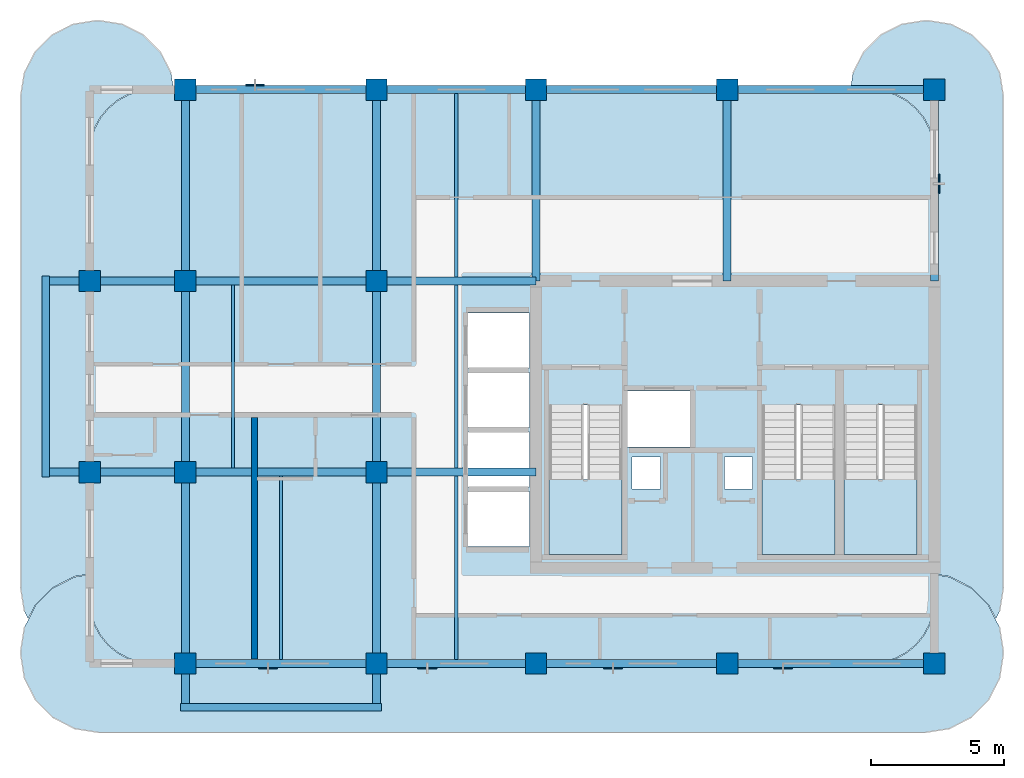
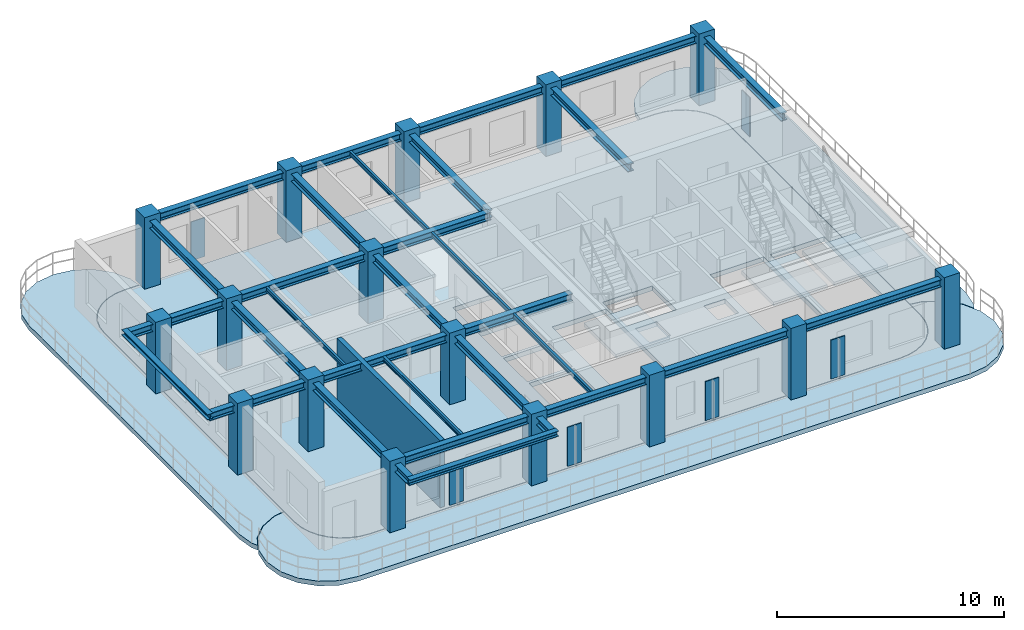
# One storey, part 1 of 8: 28 beams, 16 columns, 7 slabs, 6 plates, 1 wall, 3 elements without a shape of their own.
"""IFC4 building model written with IfcOpenShell, lengths in metres."""

from ifc_helpers import new_model, si_unit, derived_unit, direction, frame, frame_2d, origin, origin_2d, place, context, subcontext, project, spatial, polyline, rectangle, i_section, outline, extrude, source, transform, mapped, material, layer, layer_set, material_profile, profile_set, type_object, type_shapes, element, aggregate, save


model = new_model("IFC4")

# Units and contexts
model_context = context("Model", 3, precision=1e-05, world=origin(), true_north=direction((0.0, 1.0)))
body_context = subcontext(model_context, "Body", "Model", "MODEL_VIEW")
ifc_project = project(units=[si_unit("LENGTHUNIT", "METRE"), si_unit("AREAUNIT", "SQUARE_METRE"), si_unit("VOLUMEUNIT", "CUBIC_METRE"), si_unit("PLANEANGLEUNIT", "RADIAN"), si_unit("MASSUNIT", "GRAM", prefix="KILO"), si_unit("THERMODYNAMICTEMPERATUREUNIT", "KELVIN"), si_unit("POWERUNIT", "WATT"), derived_unit("THERMALTRANSMITTANCEUNIT", [(si_unit("POWERUNIT", "WATT"), 1), (si_unit("AREAUNIT", "SQUARE_METRE"), -1), (si_unit("THERMODYNAMICTEMPERATUREUNIT", "KELVIN"), -1)])], contexts=[model_context])

# Site, building, storey
site_placement = place(None, origin())
site = spatial("IfcSite", under=ifc_project, at=site_placement, CompositionType="ELEMENT")
building_placement = place(site_placement, origin())
building = spatial("IfcBuilding", under=site, at=building_placement, Name="Zahravan Archway Hotel and Residences", CompositionType="ELEMENT")
storey_placement = place(building_placement, frame((0.0, 0.0, 263.5)))
storey = spatial("IfcBuildingStorey", under=building, at=storey_placement, Name="L66", CompositionType="ELEMENT", Elevation=263.5)

# Columns
ifc_material_1 = material(Name="Concrete C50/60", Category="concrete")
ifc_material_profile_1 = material_profile(ifc_material_1, rectangle(XDim=0.800048828125, YDim=0.800048828125, at=origin_2d()), Name="RC-COL-800x800", Category="concrete")
ifc_profile_set_1 = profile_set([ifc_material_profile_1], Name="Concrete C50/60")
column_type = type_object("IfcColumnType", Name="COL-RC-800", PredefinedType="COLUMN", material=ifc_profile_set_1)
shared_shape_1 = source(origin(), body_context, "Body", "SweptSolid", [
    extrude(rectangle(XDim=0.800048828125, YDim=0.800048828125, at=origin_2d()), origin(), (0.0, 0.0, 1.0), 3.85009765625),
])
for number, where, z_axis, x_axis, name in (
    (1, (21.60009765625, 0.0, 0.0), (0.0, 0.0, 1.0), (1.0, 0.0, 0.0), "L66 Column 4-A"),
    (2, (21.60009765625, 7.199951171875, 0.0), (0.0, 0.0, 1.0), (1.0, 0.0, 0.0), "L66 Column 4-B"),
    (3, (21.60009765625, 14.39990234375, 0.0), (0.0, 0.0, 1.0), (1.0, 0.0, 0.0), "L66 Column 4-C"),
    (4, (21.60009765625, 21.60009765625, 0.0), (0.0, 0.0, 1.0), (1.0, 0.0, 0.0), "L66 Column 4-D"),
    (5, (28.800048828125, 0.0, 0.0), (0.0, 0.0, 1.0), (1.0, 0.0, 0.0), "L66 Column 5-A"),
    (6, (28.800048828125, 7.199951171875, 0.0), (0.0, 0.0, 1.0), (1.0, 0.0, 0.0), "L66 Column 5-B"),
    (7, (28.800048828125, 14.39990234375, 0.0), (0.0, 0.0, 1.0), (1.0, 0.0, 0.0), "L66 Column 5-C"),
    (8, (28.800048828125, 21.60009765625, 0.0), (0.0, 0.0, 1.0), (1.0, 0.0, 0.0), "L66 Column 5-D"),
    (9, (34.800048828125, 0.0, 0.0), (0.0, 0.0, 1.0), (1.0, 0.0, 0.0), "L66 Column 6-A"),
    (10, (34.800048828125, 21.60009765625, 0.0), (0.0, 0.0, 1.0), (1.0, 0.0, 0.0), "L66 Column 6-D"),
    (11, (42.0, 0.0, 0.0), (0.0, 0.0, 1.0), (1.0, 0.0, 0.0), "L66 Column 7-A"),
    (12, (42.0, 21.60009765625, 0.0), (0.0, 0.0, 1.0), (1.0, 0.0, 0.0), "L66 Column 7-D"),
    (13, (49.800048828125, 0.0, 0.0), (0.0, 0.0, 1.0), (1.0, 0.0, 0.0), "L66 Column 8-A"),
    (14, (49.800048828125, 21.60009765625, 0.0), (0.0, 0.0, 1.0), (1.0, 0.0, 0.0), "L66 Column 8-D"),
    (15, (18.0, 7.199951171875, 0.0), (0.0, 0.0, 1.0), (1.0, 0.0, 0.0), "L66 Column 3W-B"),
    (16, (18.0, 14.39990234375, 0.0), (0.0, 0.0, 1.0), (1.0, 0.0, 0.0), "L66 Column 3W-C"),
):
    element("IfcColumn", number, at=place(storey_placement, frame(where, z_axis=z_axis, x_axis=x_axis)), inside=storey, type_object=column_type, Name=name, PredefinedType="COLUMN", context=body_context, shape_type="MappedRepresentation", body=[
        mapped(shared_shape_1, transform((0.0, 0.0, 0.0), scale=1.0)),
    ])

# Beams
ifc_material_2 = material(Name="Structural Steel S355JR", Category="steel")
ifc_material_profile_2 = material_profile(ifc_material_2, i_section(OverallWidth=0.280029296875, OverallDepth=0.280029296875, WebThickness=0.010498046875, FlangeThickness=0.01806640625, FilletRadius=0.02392578125, at=origin_2d()), Name="HEB 280", Category="steel")
ifc_profile_set_2 = profile_set([ifc_material_profile_2], Name="Structural Steel S355JR")
beam_type_1 = type_object("IfcBeamType", Name="BM-SPN-HEB280", PredefinedType="SPANDREL", material=ifc_profile_set_2)
shared_shape_2 = source(origin(), body_context, "Body", "SweptSolid", [
    extrude(i_section(OverallWidth=0.280029296875, OverallDepth=0.280029296875, WebThickness=0.010498046875, FlangeThickness=0.01806640625, FilletRadius=0.02392578125, at=origin_2d()), origin(), (0.0, 0.0, 1.0), 7.56005859375),
])
type_shapes(beam_type_1, [shared_shape_2])
for number, where, z_axis, x_axis, name in (
    (17, (16.35009765625, 7.02001953125, 3.4599609375), (0.0, 1.0, 0.0), (-1.0, 0.0, 0.0), "L67 WA Balcony Edge Spandrel"),
    (18, (21.419921875, -1.64990234375, 3.4599609375), (1.0, 0.0, 0.0), (0.0, 1.0, 0.0), "L67 SA Balcony Edge Spandrel"),
):
    element("IfcBeam", number, at=place(storey_placement, frame(where, z_axis=z_axis, x_axis=x_axis)), inside=storey, type_object=beam_type_1, Name=name, PredefinedType="SPANDREL", context=body_context, shape_type="MappedRepresentation", body=[
        mapped(shared_shape_2, transform((0.0, 0.0, 0.0), scale=1.0)),
    ])
ifc_material_profile_3 = material_profile(ifc_material_2, i_section(OverallWidth=0.300048828125, OverallDepth=0.39990234375, WebThickness=0.013427734375, FlangeThickness=0.02392578125, FilletRadius=0.027099609375, at=origin_2d()), Name="HEB 400", Category="steel")
ifc_profile_set_3 = profile_set([ifc_material_profile_3], Name="Structural Steel S355JR")
beam_type_2 = type_object("IfcBeamType", Name="BM-PRI-HEB400", PredefinedType="BEAM", material=ifc_profile_set_3)
shared_shape_3 = source(origin(), body_context, "Body", "SweptSolid", [
    extrude(i_section(OverallWidth=0.300048828125, OverallDepth=0.39990234375, WebThickness=0.013427734375, FlangeThickness=0.02392578125, FilletRadius=0.027099609375, at=origin_2d()), origin(), (0.0, 0.0, 1.0), 7.199951171875),
])
type_shapes(beam_type_2, [shared_shape_3])
for number, where, z_axis, x_axis, name in (
    (19, (21.60009765625, 0.0, 3.39990234375), (1.0, 0.0, 0.0), (0.0, 1.0, 0.0), "L66 Primary Girder EW-01"),
    (20, (34.800048828125, 0.0, 3.39990234375), (1.0, 0.0, 0.0), (0.0, 1.0, 0.0), "L66 Primary Girder EW-03"),
    (21, (21.60009765625, 21.60009765625, 3.39990234375), (1.0, 0.0, 0.0), (0.0, 1.0, 0.0), "L66 Primary Girder EW-09"),
    (22, (34.800048828125, 21.60009765625, 3.39990234375), (1.0, 0.0, 0.0), (0.0, 1.0, 0.0), "L66 Primary Girder EW-11"),
    (23, (21.60009765625, 7.199951171875, 3.39990234375), (0.0, 1.0, 0.0), (-1.0, 0.0, 0.0), "L66 Primary Girder NS-14"),
    (24, (28.800048828125, 7.199951171875, 3.39990234375), (0.0, 1.0, 0.0), (-1.0, 0.0, 0.0), "L66 Primary Girder NS-17"),
):
    element("IfcBeam", number, at=place(storey_placement, frame(where, z_axis=z_axis, x_axis=x_axis)), inside=storey, type_object=beam_type_2, Name=name, PredefinedType="BEAM", context=body_context, shape_type="MappedRepresentation", body=[
        mapped(shared_shape_3, transform((0.0, 0.0, 0.0), scale=1.0)),
    ])
shared_shape_4 = source(origin(), body_context, "Body", "SweptSolid", [
    extrude(i_section(OverallWidth=0.300048828125, OverallDepth=0.39990234375, WebThickness=0.013427734375, FlangeThickness=0.02392578125, FilletRadius=0.027099609375, at=origin_2d()), origin(), (0.0, 0.0, 1.0), 6.0),
])
for number, where, z_axis, x_axis, name in (
    (25, (28.800048828125, 0.0, 3.39990234375), (1.0, 0.0, 0.0), (0.0, 1.0, 0.0), "L66 Primary Girder EW-02"),
    (26, (28.800048828125, 7.199951171875, 3.39990234375), (1.0, 0.0, 0.0), (0.0, 1.0, 0.0), "L66 Primary Girder EW-06"),
    (27, (28.800048828125, 14.39990234375, 3.39990234375), (1.0, 0.0, 0.0), (0.0, 1.0, 0.0), "L66 Primary Girder EW-08"),
    (28, (28.800048828125, 21.60009765625, 3.39990234375), (1.0, 0.0, 0.0), (0.0, 1.0, 0.0), "L66 Primary Girder EW-10"),
):
    element("IfcBeam", number, at=place(storey_placement, frame(where, z_axis=z_axis, x_axis=x_axis)), inside=storey, type_object=beam_type_2, Name=name, PredefinedType="BEAM", context=body_context, shape_type="MappedRepresentation", body=[
        mapped(shared_shape_4, transform((0.0, 0.0, 0.0), scale=1.0)),
    ])
shared_shape_5 = source(origin(), body_context, "Body", "SweptSolid", [
    extrude(i_section(OverallWidth=0.300048828125, OverallDepth=0.39990234375, WebThickness=0.013427734375, FlangeThickness=0.02392578125, FilletRadius=0.027099609375, at=origin_2d()), origin(), (0.0, 0.0, 1.0), 7.800048828125),
])
for number, where, z_axis, x_axis, name in (
    (29, (42.0, 0.0, 3.39990234375), (1.0, 0.0, 0.0), (0.0, 1.0, 0.0), "L66 Primary Girder EW-04"),
    (30, (42.0, 21.60009765625, 3.39990234375), (1.0, 0.0, 0.0), (0.0, 1.0, 0.0), "L66 Primary Girder EW-12"),
):
    element("IfcBeam", number, at=place(storey_placement, frame(where, z_axis=z_axis, x_axis=x_axis)), inside=storey, type_object=beam_type_2, Name=name, PredefinedType="BEAM", context=body_context, shape_type="MappedRepresentation", body=[
        mapped(shared_shape_5, transform((0.0, 0.0, 0.0), scale=1.0)),
    ])
shared_shape_6 = source(origin(), body_context, "Body", "SweptSolid", [
    extrude(i_section(OverallWidth=0.300048828125, OverallDepth=0.39990234375, WebThickness=0.013427734375, FlangeThickness=0.02392578125, FilletRadius=0.027099609375, at=origin_2d()), origin(), (0.0, 0.0, 1.0), 7.2001953125),
])
for number, where, z_axis, x_axis, name in (
    (31, (21.60009765625, 14.39990234375, 3.39990234375), (0.0, 1.0, 0.0), (-1.0, 0.0, 0.0), "L66 Primary Girder NS-15"),
    (32, (28.800048828125, 14.39990234375, 3.39990234375), (0.0, 1.0, 0.0), (-1.0, 0.0, 0.0), "L66 Primary Girder NS-18"),
    (33, (34.800048828125, 14.39990234375, 3.39990234375), (0.0, 1.0, 0.0), (-1.0, 0.0, 0.0), "L66 Primary Girder NS-19"),
    (34, (42.0, 14.39990234375, 3.39990234375), (0.0, 1.0, 0.0), (-1.0, 0.0, 0.0), "L66 Primary Girder NS-20"),
    (35, (49.800048828125, 14.39990234375, 3.39990234375), (0.0, 1.0, 0.0), (-1.0, 0.0, 0.0), "L66 Primary Girder NS-21"),
):
    element("IfcBeam", number, at=place(storey_placement, frame(where, z_axis=z_axis, x_axis=x_axis)), inside=storey, type_object=beam_type_2, Name=name, PredefinedType="BEAM", context=body_context, shape_type="MappedRepresentation", body=[
        mapped(shared_shape_6, transform((0.0, 0.0, 0.0), scale=1.0)),
    ])
ifc_material_profile_4 = material_profile(ifc_material_2, i_section(OverallWidth=0.1201171875, OverallDepth=0.239990234375, WebThickness=0.006103515625, FlangeThickness=0.009765625, FilletRadius=0.014892578125, at=origin_2d()), Name="IPE 240", Category="steel")
ifc_profile_set_4 = profile_set([ifc_material_profile_4], Name="Structural Steel S355JR")
beam_type_3 = type_object("IfcBeamType", Name="BM-JST-IPE240", PredefinedType="JOIST", material=ifc_profile_set_4)
shared_shape_7 = source(origin(), body_context, "Body", "SweptSolid", [
    extrude(i_section(OverallWidth=0.1201171875, OverallDepth=0.239990234375, WebThickness=0.006103515625, FlangeThickness=0.009765625, FilletRadius=0.014892578125, at=origin_2d()), origin(), (0.0, 0.0, 1.0), 6.904052734375),
])
type_shapes(beam_type_3, [shared_shape_7])
for number, where, z_axis, x_axis, name in (
    (36, (25.199951171875, 0.14794921875, 3.47998046875), (0.0, 1.0, 0.0), (-1.0, 0.0, 0.0), "L66 Composite Floor Joist 01"),
    (37, (31.800048828125, 0.14794921875, 3.47998046875), (0.0, 1.0, 0.0), (-1.0, 0.0, 0.0), "L66 Composite Floor Joist 02"),
    (38, (23.39990234375, 7.347900390625, 3.47998046875), (0.0, 1.0, 0.0), (-1.0, 0.0, 0.0), "L66 Composite Floor Joist 03"),
    (39, (31.800048828125, 7.347900390625, 3.47998046875), (0.0, 1.0, 0.0), (-1.0, 0.0, 0.0), "L66 Composite Floor Joist 04"),
):
    element("IfcBeam", number, at=place(storey_placement, frame(where, z_axis=z_axis, x_axis=x_axis)), inside=storey, type_object=beam_type_3, Name=name, PredefinedType="JOIST", context=body_context, shape_type="MappedRepresentation", body=[
        mapped(shared_shape_7, transform((0.0, 0.0, 0.0), scale=1.0)),
    ])
shared_shape_8 = source(origin(), body_context, "Body", "SweptSolid", [
    extrude(i_section(OverallWidth=0.1201171875, OverallDepth=0.239990234375, WebThickness=0.006103515625, FlangeThickness=0.009765625, FilletRadius=0.014892578125, at=origin_2d()), origin(), (0.0, 0.0, 1.0), 6.90380859375),
])
beam_placement = place(storey_placement, frame((31.800048828125, 14.548095703125, 3.47998046875), z_axis=(0.0, 1.0, 0.0), x_axis=(-1.0, 0.0, 0.0)))
element("IfcBeam", 40, at=beam_placement, inside=storey, type_object=beam_type_3, Name="L66 Composite Floor Joist 05", PredefinedType="JOIST", context=body_context, shape_type="MappedRepresentation", body=[
    mapped(shared_shape_8, transform((0.0, 0.0, 0.0), scale=1.0)),
])
shared_shape_9 = source(origin(), body_context, "Body", "SweptSolid", [
    extrude(i_section(OverallWidth=0.300048828125, OverallDepth=0.39990234375, WebThickness=0.013427734375, FlangeThickness=0.02392578125, FilletRadius=0.027099609375, at=origin_2d()), origin(), (0.0, 0.0, 1.0), 12.449951171875),
])
for number, where, z_axis, x_axis, name in (
    (41, (16.35009765625, 7.199951171875, 3.39990234375), (1.0, 0.0, 0.0), (0.0, 1.0, 0.0), "L66 Primary Girder EW-05"),
    (42, (16.35009765625, 14.39990234375, 3.39990234375), (1.0, 0.0, 0.0), (0.0, 1.0, 0.0), "L66 Primary Girder EW-07"),
):
    element("IfcBeam", number, at=place(storey_placement, frame(where, z_axis=z_axis, x_axis=x_axis)), inside=storey, type_object=beam_type_2, Name=name, PredefinedType="BEAM", context=body_context, shape_type="MappedRepresentation", body=[
        mapped(shared_shape_9, transform((0.0, 0.0, 0.0), scale=1.0)),
    ])
shared_shape_10 = source(origin(), body_context, "Body", "SweptSolid", [
    extrude(i_section(OverallWidth=0.300048828125, OverallDepth=0.39990234375, WebThickness=0.013427734375, FlangeThickness=0.02392578125, FilletRadius=0.027099609375, at=origin_2d()), origin(), (0.0, 0.0, 1.0), 8.849853515625),
])
for number, where, z_axis, x_axis, name in (
    (43, (21.60009765625, -1.64990234375, 3.39990234375), (0.0, 1.0, 0.0), (-1.0, 0.0, 0.0), "L66 Primary Girder NS-13"),
    (44, (28.800048828125, -1.64990234375, 3.39990234375), (0.0, 1.0, 0.0), (-1.0, 0.0, 0.0), "L66 Primary Girder NS-16"),
):
    element("IfcBeam", number, at=place(storey_placement, frame(where, z_axis=z_axis, x_axis=x_axis)), inside=storey, type_object=beam_type_2, Name=name, PredefinedType="BEAM", context=body_context, shape_type="MappedRepresentation", body=[
        mapped(shared_shape_10, transform((0.0, 0.0, 0.0), scale=1.0)),
    ])

# Slabs
ifc_material_3 = material(Name="Concrete C45/55", Category="concrete")
ifc_layer_1 = layer(ifc_material_3, 0.25, Name="Concrete C45/55", Category="concrete")
ifc_layer_set_1 = layer_set([ifc_layer_1], Name="Concrete C45/55")
slab_type_1 = type_object("IfcSlabType", Name="SLB-BALC-250", PredefinedType="FLOOR", material=ifc_layer_set_1)
slab_1_placement = place(storey_placement, frame((0.0, 0.0, -0.25)))
element("IfcSlab", 45, at=slab_1_placement, inside=storey, type_object=slab_type_1, Name="L66 Wing A South Rounded Balcony Band", PredefinedType="FLOOR", context=body_context, shape_type="SweptSolid", body=[
    extrude(outline(polyline([(50.361572265625, 3.255615234375), (51.18408203125, 2.836669921875), (51.836669921875, 2.18408203125), (52.255615234375, 1.361572265625), (52.39990234375, 0.449951171875), (52.39990234375, 0.35009765625), (52.255615234375, -0.5615234375), (51.836669921875, -1.384033203125), (51.18408203125, -2.03662109375), (50.361572265625, -2.45556640625), (49.449951171875, -2.60009765625), (18.35009765625, -2.60009765625), (17.4384765625, -2.45556640625), (16.615966796875, -2.03662109375), (15.96337890625, -1.384033203125), (15.54443359375, -0.5615234375), (15.39990234375, 0.35009765625), (15.39990234375, 0.449951171875), (15.54443359375, 1.361572265625), (15.96337890625, 2.18408203125), (16.615966796875, 2.836669921875), (17.4384765625, 3.255615234375), (17.97998046875, 3.34130859375), (17.97998046875, 2.39990234375), (17.97998046875, 2.39794921875), (18.026123046875, 1.9296875), (18.026611328125, 1.927978515625), (18.027099609375, 1.926025390625), (18.16357421875, 1.475830078125), (18.164306640625, 1.473876953125), (18.1650390625, 1.47216796875), (18.386962890625, 1.05712890625), (18.387939453125, 1.055419921875), (18.388916015625, 1.053955078125), (18.6875, 0.690185546875), (18.688720703125, 0.688720703125), (18.690185546875, 0.6875), (19.053955078125, 0.388916015625), (19.055419921875, 0.387939453125), (19.05712890625, 0.386962890625), (19.47216796875, 0.1650390625), (19.473876953125, 0.164306640625), (19.475830078125, 0.16357421875), (19.926025390625, 0.027099609375), (19.927978515625, 0.026611328125), (19.9296875, 0.026123046875), (20.39794921875, -0.02001953125), (20.39990234375, -0.02001953125), (47.39990234375, -0.02001953125), (47.402099609375, -0.02001953125), (47.8701171875, 0.026123046875), (47.8720703125, 0.026611328125), (47.8740234375, 0.027099609375), (48.32421875, 0.16357421875), (48.326171875, 0.164306640625), (48.327880859375, 0.1650390625), (48.742919921875, 0.386962890625), (48.744384765625, 0.387939453125), (48.74609375, 0.388916015625), (49.10986328125, 0.6875), (49.111083984375, 0.688720703125), (49.112548828125, 0.690185546875), (49.410888671875, 1.053955078125), (49.412109375, 1.055419921875), (49.4130859375, 1.05712890625), (49.635009765625, 1.47216796875), (49.6357421875, 1.473876953125), (49.636474609375, 1.475830078125), (49.77294921875, 1.926025390625), (49.7734375, 1.927978515625), (49.773681640625, 1.9296875), (49.81982421875, 2.39794921875), (49.820068359375, 2.39990234375), (49.820068359375, 3.34130859375), (50.361572265625, 3.255615234375)])), origin(), (0.0, 0.0, 1.0), 0.25),
])
slab_2_placement = place(storey_placement, frame((0.0, 0.0, -0.25)))
element("IfcSlab", 46, at=slab_2_placement, inside=storey, type_object=slab_type_1, Name="L66 Wing A East Rounded Balcony Band", PredefinedType="FLOOR", context=body_context, shape_type="SweptSolid", body=[
    extrude(outline(polyline([(46.739501953125, 22.230712890625), (47.144287109375, 23.025146484375), (47.77490234375, 23.65576171875), (48.5693359375, 24.060546875), (49.449951171875, 24.199951171875), (49.550048828125, 24.199951171875), (50.4306640625, 24.060546875), (51.22509765625, 23.65576171875), (51.855712890625, 23.025146484375), (52.260498046875, 22.230712890625), (52.39990234375, 21.35009765625), (52.39990234375, 2.85009765625), (52.260498046875, 1.96923828125), (52.114501953125, 1.6826171875), (51.8544921875, 2.193115234375), (51.853515625, 2.19482421875), (51.85205078125, 2.196533203125), (51.8505859375, 2.197998046875), (51.197998046875, 2.8505859375), (51.196533203125, 2.85205078125), (51.19482421875, 2.853515625), (51.193115234375, 2.8544921875), (50.37060546875, 3.2734375), (50.368896484375, 3.2744140625), (50.36669921875, 3.27490234375), (50.36474609375, 3.275390625), (49.822998046875, 3.361083984375), (49.8212890625, 3.361328125), (49.820068359375, 3.361328125), (49.820068359375, 19.199951171875), (49.81982421875, 19.201904296875), (49.773681640625, 19.670166015625), (49.7734375, 19.672119140625), (49.77294921875, 19.674072265625), (49.636474609375, 20.124267578125), (49.6357421875, 20.126220703125), (49.635009765625, 20.127685546875), (49.4130859375, 20.542724609375), (49.412109375, 20.54443359375), (49.410888671875, 20.546142578125), (49.112548828125, 20.909912109375), (49.111083984375, 20.9111328125), (49.10986328125, 20.91259765625), (48.74609375, 21.2109375), (48.744384765625, 21.212158203125), (48.742919921875, 21.213134765625), (48.327880859375, 21.434814453125), (48.326171875, 21.435791015625), (48.32421875, 21.436279296875), (47.8740234375, 21.572998046875), (47.8720703125, 21.573486328125), (47.8701171875, 21.57373046875), (47.402099609375, 21.619873046875), (47.39990234375, 21.6201171875), (46.642822265625, 21.6201171875), (46.739501953125, 22.230712890625)])), origin(), (0.0, 0.0, 1.0), 0.25),
])
slab_3_placement = place(storey_placement, frame((0.0, 0.0, -0.25)))
element("IfcSlab", 47, at=slab_3_placement, inside=storey, type_object=slab_type_1, Name="L66 Wing A West Rounded Balcony Band", PredefinedType="FLOOR", context=body_context, shape_type="SweptSolid", body=[
    extrude(outline(polyline([(15.53955078125, 1.96923828125), (15.39990234375, 2.85009765625), (15.39990234375, 21.35009765625), (15.53955078125, 22.230712890625), (15.9443359375, 23.025146484375), (16.57470703125, 23.65576171875), (17.369384765625, 24.060546875), (18.25, 24.199951171875), (18.35009765625, 24.199951171875), (19.230712890625, 24.060546875), (20.025146484375, 23.65576171875), (20.65576171875, 23.025146484375), (21.060546875, 22.230712890625), (21.1572265625, 21.6201171875), (20.39990234375, 21.6201171875), (20.39794921875, 21.619873046875), (19.9296875, 21.57373046875), (19.927978515625, 21.573486328125), (19.926025390625, 21.572998046875), (19.475830078125, 21.436279296875), (19.473876953125, 21.435791015625), (19.47216796875, 21.434814453125), (19.05712890625, 21.213134765625), (19.055419921875, 21.212158203125), (19.053955078125, 21.2109375), (18.690185546875, 20.91259765625), (18.688720703125, 20.9111328125), (18.6875, 20.909912109375), (18.388916015625, 20.546142578125), (18.387939453125, 20.54443359375), (18.386962890625, 20.542724609375), (18.1650390625, 20.127685546875), (18.164306640625, 20.126220703125), (18.16357421875, 20.124267578125), (18.027099609375, 19.674072265625), (18.026611328125, 19.672119140625), (18.026123046875, 19.670166015625), (17.97998046875, 19.201904296875), (17.97998046875, 19.199951171875), (17.97998046875, 3.361328125), (17.978759765625, 3.361328125), (17.976806640625, 3.361083984375), (17.435302734375, 3.275390625), (17.43310546875, 3.27490234375), (17.43115234375, 3.2744140625), (17.42919921875, 3.2734375), (16.60693359375, 2.8544921875), (16.60498046875, 2.853515625), (16.603515625, 2.85205078125), (16.601806640625, 2.8505859375), (15.94921875, 2.197998046875), (15.947998046875, 2.196533203125), (15.946533203125, 2.19482421875), (15.945556640625, 2.193115234375), (15.685546875, 1.6826171875), (15.53955078125, 1.96923828125)])), origin(), (0.0, 0.0, 1.0), 0.25),
])
ifc_layer_2 = layer(ifc_material_3, 0.25, Name="Concrete C45/55", Category="concrete")
ifc_layer_set_2 = layer_set([ifc_layer_2], Name="Concrete C45/55")
slab_type_2 = type_object("IfcSlabType", Name="SLB-FLR-250", PredefinedType="FLOOR", material=ifc_layer_set_2)
slab_4_placement = place(storey_placement, frame((0.0, 0.0, -0.25)))
element("IfcSlab", 48, at=slab_4_placement, inside=storey, type_object=slab_type_2, Name="L66 Floor Slab WA", PredefinedType="FLOOR", context=body_context, shape_type="SweptSolid", body=[
    extrude(outline(polyline([(47.39990234375, 0.0), (47.8681640625, 0.046142578125), (48.318359375, 0.1826171875), (48.7333984375, 0.404541015625), (49.09716796875, 0.702880859375), (49.3955078125, 1.066650390625), (49.6171875, 1.481689453125), (49.75390625, 1.931884765625), (49.800048828125, 2.39990234375), (49.800048828125, 19.199951171875), (49.75390625, 19.668212890625), (49.6171875, 20.118408203125), (49.3955078125, 20.533447265625), (49.09716796875, 20.897216796875), (48.7333984375, 21.195556640625), (48.318359375, 21.417236328125), (47.8681640625, 21.553955078125), (47.39990234375, 21.60009765625), (20.39990234375, 21.60009765625), (19.931884765625, 21.553955078125), (19.481689453125, 21.417236328125), (19.066650390625, 21.195556640625), (18.702880859375, 20.897216796875), (18.404541015625, 20.533447265625), (18.1826171875, 20.118408203125), (18.046142578125, 19.668212890625), (18.0, 19.199951171875), (18.0, 2.39990234375), (18.046142578125, 1.931884765625), (18.1826171875, 1.481689453125), (18.404541015625, 1.066650390625), (18.702880859375, 0.702880859375), (19.066650390625, 0.404541015625), (19.481689453125, 0.1826171875), (19.931884765625, 0.046142578125), (20.39990234375, 0.0), (47.39990234375, 0.0)]), holes=[polyline([(35.300048828125, 9.72998046875), (35.300048828125, 4.10009765625), (38.0400390625, 4.10009765625), (38.0400390625, 9.72998046875), (35.300048828125, 9.72998046875)]), polyline([(43.320068359375, 9.72998046875), (43.320068359375, 4.10009765625), (46.06005859375, 4.10009765625), (46.06005859375, 9.72998046875), (43.320068359375, 9.72998046875)]), polyline([(46.39990234375, 9.72998046875), (46.39990234375, 4.10009765625), (49.139892578125, 4.10009765625), (49.139892578125, 9.72998046875), (46.39990234375, 9.72998046875)]), polyline([(38.179931640625, 8.14990234375), (40.699951171875, 8.14990234375), (40.699951171875, 10.25), (38.179931640625, 10.25), (38.179931640625, 8.14990234375)]), polyline([(32.25, 4.39990234375), (34.550048828125, 4.39990234375), (34.550048828125, 6.47998046875), (32.25, 6.47998046875), (32.25, 4.39990234375)]), polyline([(32.25, 6.639892578125), (34.550048828125, 6.639892578125), (34.550048828125, 8.719970703125), (32.25, 8.719970703125), (32.25, 6.639892578125)]), polyline([(32.25, 8.8798828125), (34.550048828125, 8.8798828125), (34.550048828125, 10.9599609375), (32.25, 10.9599609375), (32.25, 8.8798828125)]), polyline([(32.25, 11.1201171875), (34.550048828125, 11.1201171875), (34.550048828125, 13.199951171875), (32.25, 13.199951171875), (32.25, 11.1201171875)]), polyline([(38.419921875, 6.56005859375), (39.5, 6.56005859375), (39.5, 7.780029296875), (38.419921875, 7.780029296875), (38.419921875, 6.56005859375)]), polyline([(41.89990234375, 6.56005859375), (42.9599609375, 6.56005859375), (42.9599609375, 7.780029296875), (41.89990234375, 7.780029296875), (41.89990234375, 6.56005859375)])]), origin(), (0.0, 0.0, 1.0), 0.25),
])

# Stair, slab
stair_type = type_object("IfcStairType", Name="STR-CORE-1300", PredefinedType="HALF_TURN_STAIR", material=ifc_material_1)
stair_1_placement = place(storey_placement, origin())
stair_1 = element("IfcStair", 49, at=stair_1_placement, inside=storey, type_object=stair_type, Name="L66 Core A Exit Stair 1", PredefinedType="HALF_TURN_STAIR")
ifc_layer_3 = layer(ifc_material_1, 0.199951171875, Name="Concrete C50/60", Category="concrete")
ifc_layer_set_3 = layer_set([ifc_layer_3], Name="Concrete C50/60")
slab_type_3 = type_object("IfcSlabType", Name="SLB-LND-200", PredefinedType="LANDING", material=ifc_layer_set_3)
slab_5_placement = place(storey_placement, frame((0.0, 0.0, 1.72509765625)))
slab_5 = element("IfcSlab", 50, at=slab_5_placement, type_object=slab_type_3, Name="ST-A1 landing 1", PredefinedType="LANDING", context=body_context, shape_type="SweptSolid", body=[
    extrude(outline(polyline([(35.300048828125, 6.929931640625), (35.300048828125, 4.10009765625), (38.0400390625, 4.10009765625), (38.0400390625, 6.929931640625), (35.300048828125, 6.929931640625)])), origin(), (0.0, 0.0, 1.0), 0.199951171875),
])
aggregate(stair_1, [slab_5])

stair_2_placement = place(storey_placement, origin())
stair_2 = element("IfcStair", 51, at=stair_2_placement, inside=storey, type_object=stair_type, Name="L66 Core A Exit Stair 2", PredefinedType="HALF_TURN_STAIR")
slab_6_placement = place(storey_placement, frame((0.0, 0.0, 1.72509765625)))
slab_6 = element("IfcSlab", 52, at=slab_6_placement, type_object=slab_type_3, Name="ST-A2 landing 1", PredefinedType="LANDING", context=body_context, shape_type="SweptSolid", body=[
    extrude(outline(polyline([(43.320068359375, 6.929931640625), (43.320068359375, 4.10009765625), (46.06005859375, 4.10009765625), (46.06005859375, 6.929931640625), (43.320068359375, 6.929931640625)])), origin(), (0.0, 0.0, 1.0), 0.199951171875),
])
aggregate(stair_2, [slab_6])

stair_3_placement = place(storey_placement, origin())
stair_3 = element("IfcStair", 53, at=stair_3_placement, inside=storey, type_object=stair_type, Name="L66 Core A Exit Stair 3", PredefinedType="HALF_TURN_STAIR")
slab_7_placement = place(storey_placement, frame((0.0, 0.0, 1.72509765625)))
slab_7 = element("IfcSlab", 54, at=slab_7_placement, type_object=slab_type_3, Name="ST-A3 landing 1", PredefinedType="LANDING", context=body_context, shape_type="SweptSolid", body=[
    extrude(outline(polyline([(46.39990234375, 6.929931640625), (46.39990234375, 4.10009765625), (49.139892578125, 4.10009765625), (49.139892578125, 6.929931640625), (46.39990234375, 6.929931640625)])), origin(), (0.0, 0.0, 1.0), 0.199951171875),
])
aggregate(stair_3, [slab_7])

# Plates
ifc_material_4 = material(Name="Perforated Cast Bronze Jali Lattice")
ifc_layer_4 = layer(ifc_material_4, 0.044921875, Name="Perforated Cast Bronze Jali Lattice")
ifc_layer_set_4 = layer_set([ifc_layer_4], Name="Perforated Cast Bronze Jali Lattice")
plate_type = type_object("IfcPlateType", Name="PLT-JALI-BAY", PredefinedType="USERDEFINED", material=ifc_layer_set_4)
shared_shape_11 = source(origin(), body_context, "Body", "SweptSolid", [
    extrude(rectangle(XDim=0.699951171875, YDim=0.044921875, at=origin_2d()), origin(), (0.0, 0.0, 1.0), 2.10009765625),
])
type_shapes(plate_type, [shared_shape_11])
for number, where, z_axis, x_axis, name in (
    (55, (24.7080078125, -0.177978515625, 0.25), (0.0, 0.0, 1.0), (1.0, 0.0, 0.0), "L66 Perforated Bronze Jali Pier Screen 01"),
    (56, (30.7080078125, -0.177978515625, 0.25), (0.0, 0.0, 1.0), (1.0, 0.0, 0.0), "L66 Perforated Bronze Jali Pier Screen 02"),
    (57, (37.7080078125, -0.177978515625, 0.25), (0.0, 0.0, 1.0), (1.0, 0.0, 0.0), "L66 Perforated Bronze Jali Pier Screen 03"),
    (58, (44.10791015625, -0.177978515625, 0.25), (0.0, 0.0, 1.0), (1.0, 0.0, 0.0), "L66 Perforated Bronze Jali Pier Screen 04"),
    (59, (49.97802734375, 18.05908203125, 0.25), (0.0, 0.0, 1.0), (0.0, 1.0, 0.0), "L66 Perforated Bronze Jali Pier Screen 05"),
    (60, (24.22802734375, 21.778076171875, 0.25), (0.0, 0.0, 1.0), (1.0, 0.0, 0.0), "L66 Perforated Bronze Jali Pier Screen 06"),
):
    element("IfcPlate", number, at=place(storey_placement, frame(where, z_axis=z_axis, x_axis=x_axis)), inside=storey, type_object=plate_type, Name=name, ObjectType="SCREEN", PredefinedType="USERDEFINED", context=body_context, shape_type="MappedRepresentation", body=[
        mapped(shared_shape_11, transform((0.0, 0.0, 0.0), scale=1.0)),
    ])

# Wall
ifc_material_5 = material(Name="Fire-Rated Gypsum & Concrete Block", Category="concrete")
ifc_layer_5 = layer(ifc_material_5, 0.219970703125, Name="Fire-Rated Gypsum & Concrete Block", Category="concrete")
ifc_layer_set_5 = layer_set([ifc_layer_5], Name="Fire-Rated Gypsum & Concrete Block")
wall_type = type_object("IfcWallType", Name="PW-COMP-220", PredefinedType="PARTITIONING", material=ifc_layer_set_5)
wall_placement = place(storey_placement, frame((24.199951171875, 0.16796875, 0.0), z_axis=(0.0, 0.0, 1.0), x_axis=(0.0, 1.0, 0.0)))
element("IfcWall", 61, at=wall_placement, inside=storey, type_object=wall_type, Name="L66 Partition WAS-SBK2", PredefinedType="PARTITIONING", context=body_context, shape_type="SweptSolid", body=[
    extrude(rectangle(XDim=9.092041015625, YDim=0.219970703125, at=frame_2d((4.5458984375, 0.0))), origin(), (0.0, 0.0, 1.0), 3.60009765625),
])

save(model, "model.ifc")
